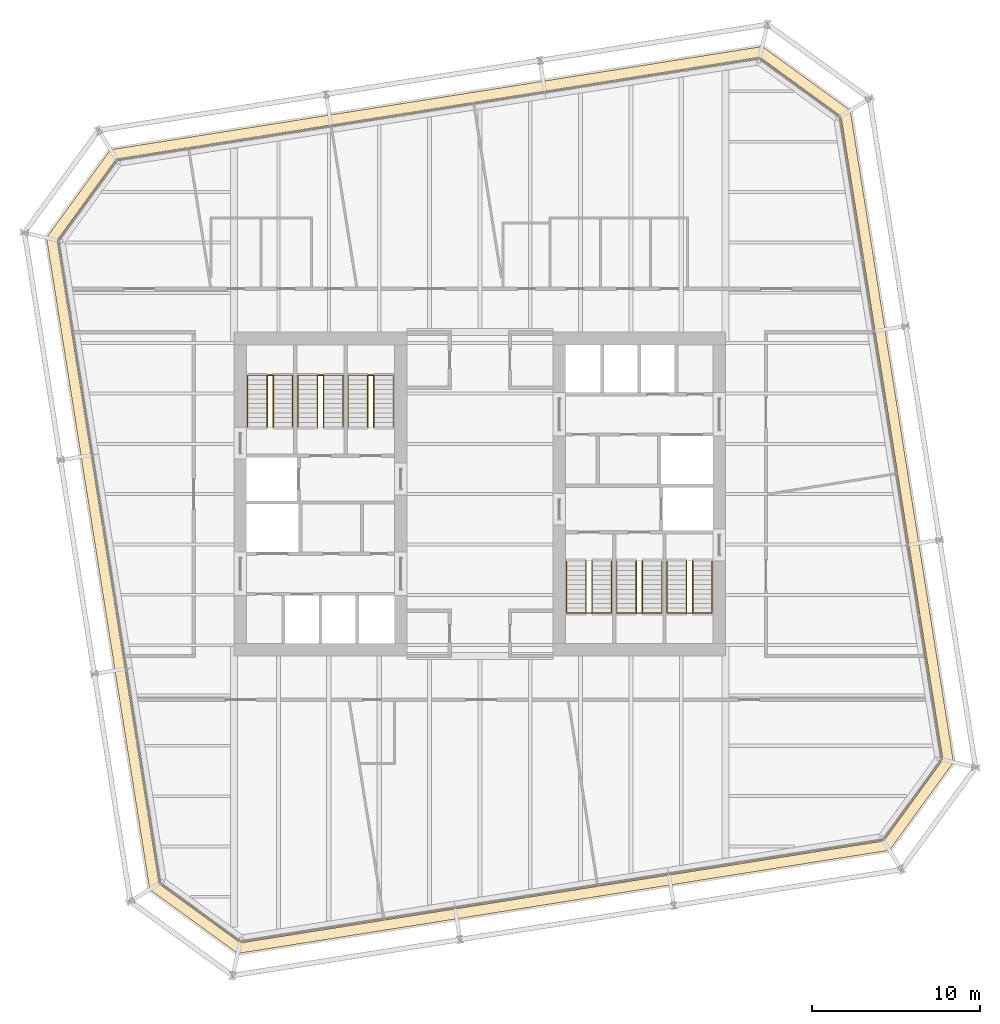
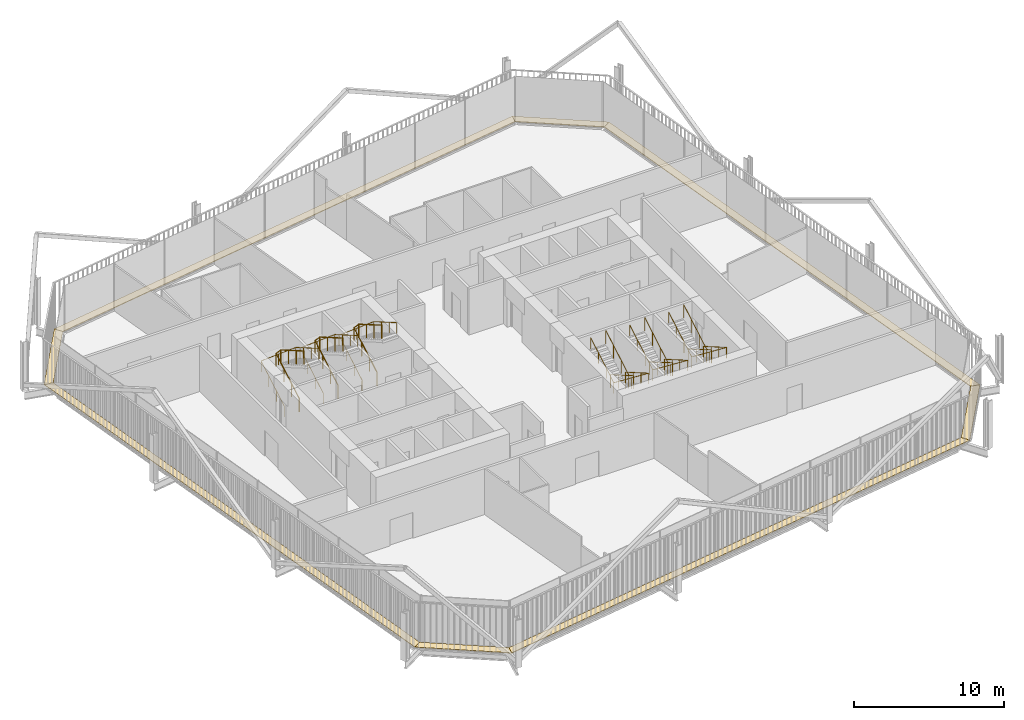
# One storey, part 22 of 22: 12 railings, 8 coverings.
"""IFC4 building model written with IfcOpenShell, lengths in metres."""

from ifc_helpers import new_model, si_unit, direction, frame, origin, origin_2d, place, context, subcontext, project, spatial, polyline, circle, outline, extrude, material, layer, layer_set, type_object, element, save


model = new_model("IFC4")

# Units and contexts
model_context = context("Model", 3, precision=1e-05, world=origin(), true_north=direction((0.0, 1.0)))
body_context = subcontext(model_context, "Body", "Model", "MODEL_VIEW")
ifc_project = project(units=[si_unit("LENGTHUNIT", "METRE"), si_unit("AREAUNIT", "SQUARE_METRE"), si_unit("VOLUMEUNIT", "CUBIC_METRE"), si_unit("PLANEANGLEUNIT", "RADIAN"), si_unit("MASSUNIT", "GRAM", prefix="KILO")], contexts=[model_context])

# Site, building, storey
site_placement = place(None, origin())
site = spatial("IfcSite", under=ifc_project, at=site_placement, CompositionType="ELEMENT")
building_placement = place(site_placement, origin())
building = spatial("IfcBuilding", under=site, at=building_placement, Name="Millrace Tower", CompositionType="ELEMENT")
storey_placement = place(building_placement, frame((0.0, 0.0, 187.800048828125)))
storey = spatial("IfcBuildingStorey", under=building, at=storey_placement, Name="L42", CompositionType="ELEMENT", Elevation=187.800048828125)

# Coverings
ifc_material_1 = material(Name="Steel ASTM A36", Category="steel")
ifc_layer = layer(ifc_material_1, 0.050048828125)
ifc_layer_set = layer_set([ifc_layer], Name="Steel ASTM A36")
covering_type = type_object("IfcCoveringType", Name="CAVITY CATWALK steel grating", PredefinedType="FLOORING", material=ifc_layer_set)
placement = place(storey_placement, frame((0.0, 0.0, 0.099853515625)))
element("IfcCovering", 1, at=placement, inside=storey, type_object=covering_type, Name="Cavity catwalk grating C-F01 L42 1", PredefinedType="FLOORING", context=body_context, shape_type="SweptSolid", body=[
    extrude(outline(polyline([(-19.67578125, -23.562255859375), (-14.425048828125, -27.376953125), (-14.2734375, -26.74560546875), (-19.1220703125, -23.222900390625), (-19.67578125, -23.562255859375)])), origin(), (0.0, 0.0, 1.0), 0.050048828125),
])
element("IfcCovering", 2, at=placement, inside=storey, type_object=covering_type, Name="Cavity catwalk grating C-F02 L42 1", PredefinedType="FLOORING", context=body_context, shape_type="SweptSolid", body=[
    extrude(outline(polyline([(-14.425048828125, -27.376953125), (24.412109375, -21.225830078125), (24.07275390625, -20.672119140625), (-14.2734375, -26.74560546875), (-14.425048828125, -27.376953125)])), origin(), (0.0, 0.0, 1.0), 0.050048828125),
])
element("IfcCovering", 3, at=placement, inside=storey, type_object=covering_type, Name="Cavity catwalk grating C-F03 L42 1", PredefinedType="FLOORING", context=body_context, shape_type="SweptSolid", body=[
    extrude(outline(polyline([(24.412109375, -21.225830078125), (28.22705078125, -15.97509765625), (27.595458984375, -15.823486328125), (24.07275390625, -20.672119140625), (24.412109375, -21.225830078125)])), origin(), (0.0, 0.0, 1.0), 0.050048828125),
])
element("IfcCovering", 4, at=placement, inside=storey, type_object=covering_type, Name="Cavity catwalk grating C-F04 L42 1", PredefinedType="FLOORING", context=body_context, shape_type="SweptSolid", body=[
    extrude(outline(polyline([(28.22705078125, -15.97509765625), (22.075927734375, 22.862060546875), (21.522216796875, 22.522705078125), (27.595458984375, -15.823486328125), (28.22705078125, -15.97509765625)])), origin(), (0.0, 0.0, 1.0), 0.050048828125),
])
element("IfcCovering", 5, at=placement, inside=storey, type_object=covering_type, Name="Cavity catwalk grating C-F05 L42 1", PredefinedType="FLOORING", context=body_context, shape_type="SweptSolid", body=[
    extrude(outline(polyline([(22.075927734375, 22.862060546875), (16.824951171875, 26.677001953125), (16.67333984375, 26.045654296875), (21.522216796875, 22.522705078125), (22.075927734375, 22.862060546875)])), origin(), (0.0, 0.0, 1.0), 0.050048828125),
])
element("IfcCovering", 6, at=placement, inside=storey, type_object=covering_type, Name="Cavity catwalk grating C-F06 L42 1", PredefinedType="FLOORING", context=body_context, shape_type="SweptSolid", body=[
    extrude(outline(polyline([(16.824951171875, 26.677001953125), (-22.01220703125, 20.52587890625), (-21.6728515625, 19.97216796875), (16.67333984375, 26.045654296875), (16.824951171875, 26.677001953125)])), origin(), (0.0, 0.0, 1.0), 0.050048828125),
])
element("IfcCovering", 7, at=placement, inside=storey, type_object=covering_type, Name="Cavity catwalk grating C-F07 L42 1", PredefinedType="FLOORING", context=body_context, shape_type="SweptSolid", body=[
    extrude(outline(polyline([(-22.01220703125, 20.52587890625), (-25.8271484375, 15.275146484375), (-25.195556640625, 15.12353515625), (-21.6728515625, 19.97216796875), (-22.01220703125, 20.52587890625)])), origin(), (0.0, 0.0, 1.0), 0.050048828125),
])
element("IfcCovering", 8, at=placement, inside=storey, type_object=covering_type, Name="Cavity catwalk grating C-F08 L42 1", PredefinedType="FLOORING", context=body_context, shape_type="SweptSolid", body=[
    extrude(outline(polyline([(-25.8271484375, 15.275146484375), (-19.67578125, -23.562255859375), (-19.1220703125, -23.222900390625), (-25.195556640625, 15.12353515625), (-25.8271484375, 15.275146484375)])), origin(), (0.0, 0.0, 1.0), 0.050048828125),
])

# Railings
ifc_material_2 = material(Name="Stainless steel ASTM A240 type 316", Category="steel")
railing_type_1 = type_object("IfcRailingType", Name="Stair guard 1100", PredefinedType="GUARDRAIL", material=ifc_material_2)
for number, where, name in (
    (9, (-12.679931640625, 4.0, 0.162353515625), "Stair guard 1 W L42"),
    (10, (-9.679931640625, 4.0, 0.162353515625), "Stair guard 2 W L42"),
    (11, (-6.679931640625, 4.0, 0.162353515625), "Stair guard 3 W L42"),
):
    element("IfcRailing", number, at=place(storey_placement, frame(where)), inside=storey, type_object=railing_type_1, Name=name, PredefinedType="GUARDRAIL", context=body_context, shape_type="SweptSolid", body=[
        extrude(circle(Radius=0.02392578125, at=origin_2d()), frame((0.0, 0.0, 1.076171875), z_axis=(0.0, 0.864890721111, 0.501960198159), x_axis=(-1.0, 0.0, 0.0)), (0.0, 0.0, 1.0), 3.561279296875),
        extrude(circle(Radius=0.02392578125, at=origin_2d()), frame((0.0, 3.080078125, 2.86376953125), z_axis=(0.911295775139, 0.0, 0.411752365158), x_axis=(0.0, 1.0, 0.0)), (0.0, 0.0, 1.0), 0.394775390625),
        extrude(circle(Radius=0.02392578125, at=origin_2d()), frame((0.35986328125, 3.080078125, 3.0263671875), z_axis=(0.0, -0.864920483161, 0.501908913857), x_axis=(1.0, 0.0, 0.0)), (0.0, 0.0, 1.0), 3.56103515625),
        extrude(circle(Radius=0.02099609375, at=origin_2d()), origin(), (0.0, 0.0, 1.0), 1.052001953125),
        extrude(circle(Radius=0.02099609375, at=origin_2d()), frame((0.0, 1.026611328125, 0.595947265625)), (0.0, 0.0, 1.0), 1.052001953125),
        extrude(circle(Radius=0.02099609375, at=origin_2d()), frame((0.0, 2.053466796875, 1.191650390625)), (0.0, 0.0, 1.0), 1.052001953125),
        extrude(circle(Radius=0.02099609375, at=origin_2d()), frame((0.0, 3.080078125, 1.78759765625)), (0.0, 0.0, 1.0), 1.052001953125),
        extrude(circle(Radius=0.02099609375, at=origin_2d()), frame((0.35986328125, 3.080078125, 1.9501953125)), (0.0, 0.0, 1.0), 1.052001953125),
        extrude(circle(Radius=0.02099609375, at=origin_2d()), frame((0.35986328125, 2.053466796875, 2.5458984375)), (0.0, 0.0, 1.0), 1.052001953125),
        extrude(circle(Radius=0.02099609375, at=origin_2d()), frame((0.35986328125, 1.026611328125, 3.141845703125)), (0.0, 0.0, 1.0), 1.052001953125),
        extrude(circle(Radius=0.02099609375, at=origin_2d()), frame((0.35986328125, 0.0, 3.737548828125)), (0.0, 0.0, 1.0), 1.052001953125),
    ])
for number, where, name in (
    (12, (12.679931640625, -4.0, 0.162353515625), "Stair guard 1 E L42"),
    (13, (9.679931640625, -4.0, 0.162353515625), "Stair guard 2 E L42"),
    (14, (6.679931640625, -4.0, 0.162353515625), "Stair guard 3 E L42"),
):
    element("IfcRailing", number, at=place(storey_placement, frame(where)), inside=storey, type_object=railing_type_1, Name=name, PredefinedType="GUARDRAIL", context=body_context, shape_type="SweptSolid", body=[
        extrude(circle(Radius=0.02392578125, at=origin_2d()), frame((0.0, 0.0, 1.076171875), z_axis=(0.0, -0.864890721111, 0.501960198159), x_axis=(1.0, 0.0, 0.0)), (0.0, 0.0, 1.0), 3.561279296875),
        extrude(circle(Radius=0.02392578125, at=origin_2d()), frame((0.0, -3.080078125, 2.86376953125), z_axis=(-0.911295775139, 0.0, 0.411752365158), x_axis=(0.0, -1.0, 0.0)), (0.0, 0.0, 1.0), 0.394775390625),
        extrude(circle(Radius=0.02392578125, at=origin_2d()), frame((-0.35986328125, -3.080078125, 3.0263671875), z_axis=(0.0, 0.864920483161, 0.501908913857), x_axis=(-1.0, 0.0, 0.0)), (0.0, 0.0, 1.0), 3.56103515625),
        extrude(circle(Radius=0.02099609375, at=origin_2d()), origin(), (0.0, 0.0, 1.0), 1.052001953125),
        extrude(circle(Radius=0.02099609375, at=origin_2d()), frame((0.0, -1.026611328125, 0.595947265625)), (0.0, 0.0, 1.0), 1.052001953125),
        extrude(circle(Radius=0.02099609375, at=origin_2d()), frame((0.0, -2.053466796875, 1.191650390625)), (0.0, 0.0, 1.0), 1.052001953125),
        extrude(circle(Radius=0.02099609375, at=origin_2d()), frame((0.0, -3.080078125, 1.78759765625)), (0.0, 0.0, 1.0), 1.052001953125),
        extrude(circle(Radius=0.02099609375, at=origin_2d()), frame((-0.35986328125, -3.080078125, 1.9501953125)), (0.0, 0.0, 1.0), 1.052001953125),
        extrude(circle(Radius=0.02099609375, at=origin_2d()), frame((-0.35986328125, -2.053466796875, 2.5458984375)), (0.0, 0.0, 1.0), 1.052001953125),
        extrude(circle(Radius=0.02099609375, at=origin_2d()), frame((-0.35986328125, -1.026611328125, 3.141845703125)), (0.0, 0.0, 1.0), 1.052001953125),
        extrude(circle(Radius=0.02099609375, at=origin_2d()), frame((-0.35986328125, 0.0, 3.737548828125)), (0.0, 0.0, 1.0), 1.052001953125),
    ])
ifc_material_3 = material(Name="Stainless steel ASTM A240 type 316", Category="steel")
railing_type_2 = type_object("IfcRailingType", Name="Stair handrail 900", PredefinedType="HANDRAIL", material=ifc_material_3)
railing_1_placement = place(storey_placement, frame((-13.840087890625, 4.0, 0.162353515625)))
element("IfcRailing", 15, at=railing_1_placement, inside=storey, type_object=railing_type_2, Name="Stair handrail 1 W L42", PredefinedType="HANDRAIL", context=body_context, shape_type="SweptSolid", body=[
    extrude(circle(Radius=0.02392578125, at=origin_2d()), frame((0.0, 0.0, 0.8759765625), z_axis=(0.0, 0.864890721111, 0.501960198159), x_axis=(-1.0, 0.0, 0.0)), (0.0, 0.0, 1.0), 3.561279296875),
    extrude(circle(Radius=0.02392578125, at=origin_2d()), frame((0.0, 3.080078125, 2.66357421875), z_axis=(0.998164834547, 0.0, 0.060555454528), x_axis=(0.0, 1.0, 0.0)), (0.0, 0.0, 1.0), 2.68505859375),
    extrude(circle(Radius=0.02392578125, at=origin_2d()), frame((2.68017578125, 3.080078125, 2.826171875), z_axis=(0.0, -0.864920483161, 0.501908913857), x_axis=(1.0, 0.0, 0.0)), (0.0, 0.0, 1.0), 3.56103515625),
    extrude(circle(Radius=0.02099609375, at=origin_2d()), origin(), (0.0, 0.0, 1.0), 0.851806640625),
    extrude(circle(Radius=0.02099609375, at=origin_2d()), frame((0.0, 1.026611328125, 0.595947265625)), (0.0, 0.0, 1.0), 0.851806640625),
    extrude(circle(Radius=0.02099609375, at=origin_2d()), frame((0.0, 2.053466796875, 1.191650390625)), (0.0, 0.0, 1.0), 0.851806640625),
    extrude(circle(Radius=0.02099609375, at=origin_2d()), frame((0.0, 3.080078125, 1.78759765625)), (0.0, 0.0, 1.0), 0.851806640625),
    extrude(circle(Radius=0.02099609375, at=origin_2d()), frame((1.340087890625, 3.080078125, 1.868896484375)), (0.0, 0.0, 1.0), 0.851806640625),
    extrude(circle(Radius=0.02099609375, at=origin_2d()), frame((2.68017578125, 3.080078125, 1.9501953125)), (0.0, 0.0, 1.0), 0.851806640625),
    extrude(circle(Radius=0.02099609375, at=origin_2d()), frame((2.68017578125, 2.053466796875, 2.5458984375)), (0.0, 0.0, 1.0), 0.851806640625),
    extrude(circle(Radius=0.02099609375, at=origin_2d()), frame((2.68017578125, 1.026611328125, 3.141845703125)), (0.0, 0.0, 1.0), 0.851806640625),
    extrude(circle(Radius=0.02099609375, at=origin_2d()), frame((2.68017578125, 0.0, 3.737548828125)), (0.0, 0.0, 1.0), 0.851806640625),
])
railing_2_placement = place(storey_placement, frame((-10.840087890625, 4.0, 0.162353515625)))
element("IfcRailing", 16, at=railing_2_placement, inside=storey, type_object=railing_type_2, Name="Stair handrail 2 W L42", PredefinedType="HANDRAIL", context=body_context, shape_type="SweptSolid", body=[
    extrude(circle(Radius=0.02392578125, at=origin_2d()), frame((0.0, 0.0, 0.8759765625), z_axis=(0.0, 0.864890721111, 0.501960198159), x_axis=(-1.0, 0.0, 0.0)), (0.0, 0.0, 1.0), 3.561279296875),
    extrude(circle(Radius=0.02392578125, at=origin_2d()), frame((0.0, 3.080078125, 2.66357421875), z_axis=(0.998164834547, 0.0, 0.060555454528), x_axis=(0.0, 1.0, 0.0)), (0.0, 0.0, 1.0), 2.68505859375),
    extrude(circle(Radius=0.02392578125, at=origin_2d()), frame((2.68017578125, 3.080078125, 2.826171875), z_axis=(0.0, -0.864920483161, 0.501908913857), x_axis=(1.0, 0.0, 0.0)), (0.0, 0.0, 1.0), 3.56103515625),
    extrude(circle(Radius=0.02099609375, at=origin_2d()), origin(), (0.0, 0.0, 1.0), 0.851806640625),
    extrude(circle(Radius=0.02099609375, at=origin_2d()), frame((0.0, 1.026611328125, 0.595947265625)), (0.0, 0.0, 1.0), 0.851806640625),
    extrude(circle(Radius=0.02099609375, at=origin_2d()), frame((0.0, 2.053466796875, 1.191650390625)), (0.0, 0.0, 1.0), 0.851806640625),
    extrude(circle(Radius=0.02099609375, at=origin_2d()), frame((0.0, 3.080078125, 1.78759765625)), (0.0, 0.0, 1.0), 0.851806640625),
    extrude(circle(Radius=0.02099609375, at=origin_2d()), frame((1.340087890625, 3.080078125, 1.868896484375)), (0.0, 0.0, 1.0), 0.851806640625),
    extrude(circle(Radius=0.02099609375, at=origin_2d()), frame((2.68017578125, 3.080078125, 1.9501953125)), (0.0, 0.0, 1.0), 0.851806640625),
    extrude(circle(Radius=0.02099609375, at=origin_2d()), frame((2.68017578125, 2.053466796875, 2.5458984375)), (0.0, 0.0, 1.0), 0.851806640625),
    extrude(circle(Radius=0.02099609375, at=origin_2d()), frame((2.68017578125, 1.026611328125, 3.141845703125)), (0.0, 0.0, 1.0), 0.851806640625),
    extrude(circle(Radius=0.02099609375, at=origin_2d()), frame((2.68017578125, 0.0, 3.737548828125)), (0.0, 0.0, 1.0), 0.851806640625),
])
railing_3_placement = place(storey_placement, frame((-7.840087890625, 4.0, 0.162353515625)))
element("IfcRailing", 17, at=railing_3_placement, inside=storey, type_object=railing_type_2, Name="Stair handrail 3 W L42", PredefinedType="HANDRAIL", context=body_context, shape_type="SweptSolid", body=[
    extrude(circle(Radius=0.02392578125, at=origin_2d()), frame((0.0, 0.0, 0.8759765625), z_axis=(0.0, 0.864890721111, 0.501960198159), x_axis=(-1.0, 0.0, 0.0)), (0.0, 0.0, 1.0), 3.561279296875),
    extrude(circle(Radius=0.02392578125, at=origin_2d()), frame((0.0, 3.080078125, 2.66357421875), z_axis=(0.998164834547, 0.0, 0.060555454528), x_axis=(0.0, 1.0, 0.0)), (0.0, 0.0, 1.0), 2.68505859375),
    extrude(circle(Radius=0.02392578125, at=origin_2d()), frame((2.68017578125, 3.080078125, 2.826171875), z_axis=(0.0, -0.864920483161, 0.501908913857), x_axis=(1.0, 0.0, 0.0)), (0.0, 0.0, 1.0), 3.56103515625),
    extrude(circle(Radius=0.02099609375, at=origin_2d()), origin(), (0.0, 0.0, 1.0), 0.851806640625),
    extrude(circle(Radius=0.02099609375, at=origin_2d()), frame((0.0, 1.026611328125, 0.595947265625)), (0.0, 0.0, 1.0), 0.851806640625),
    extrude(circle(Radius=0.02099609375, at=origin_2d()), frame((0.0, 2.053466796875, 1.191650390625)), (0.0, 0.0, 1.0), 0.851806640625),
    extrude(circle(Radius=0.02099609375, at=origin_2d()), frame((0.0, 3.080078125, 1.78759765625)), (0.0, 0.0, 1.0), 0.851806640625),
    extrude(circle(Radius=0.02099609375, at=origin_2d()), frame((1.340087890625, 3.080078125, 1.868896484375)), (0.0, 0.0, 1.0), 0.851806640625),
    extrude(circle(Radius=0.02099609375, at=origin_2d()), frame((2.68017578125, 3.080078125, 1.9501953125)), (0.0, 0.0, 1.0), 0.851806640625),
    extrude(circle(Radius=0.02099609375, at=origin_2d()), frame((2.68017578125, 2.053466796875, 2.5458984375)), (0.0, 0.0, 1.0), 0.851806640625),
    extrude(circle(Radius=0.02099609375, at=origin_2d()), frame((2.68017578125, 1.026611328125, 3.141845703125)), (0.0, 0.0, 1.0), 0.851806640625),
    extrude(circle(Radius=0.02099609375, at=origin_2d()), frame((2.68017578125, 0.0, 3.737548828125)), (0.0, 0.0, 1.0), 0.851806640625),
])
railing_4_placement = place(storey_placement, frame((13.840087890625, -4.0, 0.162353515625)))
element("IfcRailing", 18, at=railing_4_placement, inside=storey, type_object=railing_type_2, Name="Stair handrail 1 E L42", PredefinedType="HANDRAIL", context=body_context, shape_type="SweptSolid", body=[
    extrude(circle(Radius=0.02392578125, at=origin_2d()), frame((0.0, 0.0, 0.8759765625), z_axis=(0.0, -0.864890721111, 0.501960198159), x_axis=(1.0, 0.0, 0.0)), (0.0, 0.0, 1.0), 3.561279296875),
    extrude(circle(Radius=0.02392578125, at=origin_2d()), frame((0.0, -3.080078125, 2.66357421875), z_axis=(-0.998164834547, 0.0, 0.060555454528), x_axis=(0.0, -1.0, 0.0)), (0.0, 0.0, 1.0), 2.68505859375),
    extrude(circle(Radius=0.02392578125, at=origin_2d()), frame((-2.68017578125, -3.080078125, 2.826171875), z_axis=(0.0, 0.864920483161, 0.501908913857), x_axis=(-1.0, 0.0, 0.0)), (0.0, 0.0, 1.0), 3.56103515625),
    extrude(circle(Radius=0.02099609375, at=origin_2d()), origin(), (0.0, 0.0, 1.0), 0.851806640625),
    extrude(circle(Radius=0.02099609375, at=origin_2d()), frame((0.0, -1.026611328125, 0.595947265625)), (0.0, 0.0, 1.0), 0.851806640625),
    extrude(circle(Radius=0.02099609375, at=origin_2d()), frame((0.0, -2.053466796875, 1.191650390625)), (0.0, 0.0, 1.0), 0.851806640625),
    extrude(circle(Radius=0.02099609375, at=origin_2d()), frame((0.0, -3.080078125, 1.78759765625)), (0.0, 0.0, 1.0), 0.851806640625),
    extrude(circle(Radius=0.02099609375, at=origin_2d()), frame((-1.340087890625, -3.080078125, 1.868896484375)), (0.0, 0.0, 1.0), 0.851806640625),
    extrude(circle(Radius=0.02099609375, at=origin_2d()), frame((-2.68017578125, -3.080078125, 1.9501953125)), (0.0, 0.0, 1.0), 0.851806640625),
    extrude(circle(Radius=0.02099609375, at=origin_2d()), frame((-2.68017578125, -2.053466796875, 2.5458984375)), (0.0, 0.0, 1.0), 0.851806640625),
    extrude(circle(Radius=0.02099609375, at=origin_2d()), frame((-2.68017578125, -1.026611328125, 3.141845703125)), (0.0, 0.0, 1.0), 0.851806640625),
    extrude(circle(Radius=0.02099609375, at=origin_2d()), frame((-2.68017578125, 0.0, 3.737548828125)), (0.0, 0.0, 1.0), 0.851806640625),
])
railing_5_placement = place(storey_placement, frame((10.840087890625, -4.0, 0.162353515625)))
element("IfcRailing", 19, at=railing_5_placement, inside=storey, type_object=railing_type_2, Name="Stair handrail 2 E L42", PredefinedType="HANDRAIL", context=body_context, shape_type="SweptSolid", body=[
    extrude(circle(Radius=0.02392578125, at=origin_2d()), frame((0.0, 0.0, 0.8759765625), z_axis=(0.0, -0.864890721111, 0.501960198159), x_axis=(1.0, 0.0, 0.0)), (0.0, 0.0, 1.0), 3.561279296875),
    extrude(circle(Radius=0.02392578125, at=origin_2d()), frame((0.0, -3.080078125, 2.66357421875), z_axis=(-0.998164834547, 0.0, 0.060555454528), x_axis=(0.0, -1.0, 0.0)), (0.0, 0.0, 1.0), 2.68505859375),
    extrude(circle(Radius=0.02392578125, at=origin_2d()), frame((-2.68017578125, -3.080078125, 2.826171875), z_axis=(0.0, 0.864920483161, 0.501908913857), x_axis=(-1.0, 0.0, 0.0)), (0.0, 0.0, 1.0), 3.56103515625),
    extrude(circle(Radius=0.02099609375, at=origin_2d()), origin(), (0.0, 0.0, 1.0), 0.851806640625),
    extrude(circle(Radius=0.02099609375, at=origin_2d()), frame((0.0, -1.026611328125, 0.595947265625)), (0.0, 0.0, 1.0), 0.851806640625),
    extrude(circle(Radius=0.02099609375, at=origin_2d()), frame((0.0, -2.053466796875, 1.191650390625)), (0.0, 0.0, 1.0), 0.851806640625),
    extrude(circle(Radius=0.02099609375, at=origin_2d()), frame((0.0, -3.080078125, 1.78759765625)), (0.0, 0.0, 1.0), 0.851806640625),
    extrude(circle(Radius=0.02099609375, at=origin_2d()), frame((-1.340087890625, -3.080078125, 1.868896484375)), (0.0, 0.0, 1.0), 0.851806640625),
    extrude(circle(Radius=0.02099609375, at=origin_2d()), frame((-2.68017578125, -3.080078125, 1.9501953125)), (0.0, 0.0, 1.0), 0.851806640625),
    extrude(circle(Radius=0.02099609375, at=origin_2d()), frame((-2.68017578125, -2.053466796875, 2.5458984375)), (0.0, 0.0, 1.0), 0.851806640625),
    extrude(circle(Radius=0.02099609375, at=origin_2d()), frame((-2.68017578125, -1.026611328125, 3.141845703125)), (0.0, 0.0, 1.0), 0.851806640625),
    extrude(circle(Radius=0.02099609375, at=origin_2d()), frame((-2.68017578125, 0.0, 3.737548828125)), (0.0, 0.0, 1.0), 0.851806640625),
])
railing_6_placement = place(storey_placement, frame((7.840087890625, -4.0, 0.162353515625)))
element("IfcRailing", 20, at=railing_6_placement, inside=storey, type_object=railing_type_2, Name="Stair handrail 3 E L42", PredefinedType="HANDRAIL", context=body_context, shape_type="SweptSolid", body=[
    extrude(circle(Radius=0.02392578125, at=origin_2d()), frame((0.0, 0.0, 0.8759765625), z_axis=(0.0, -0.864890721111, 0.501960198159), x_axis=(1.0, 0.0, 0.0)), (0.0, 0.0, 1.0), 3.561279296875),
    extrude(circle(Radius=0.02392578125, at=origin_2d()), frame((0.0, -3.080078125, 2.66357421875), z_axis=(-0.998164834547, 0.0, 0.060555454528), x_axis=(0.0, -1.0, 0.0)), (0.0, 0.0, 1.0), 2.68505859375),
    extrude(circle(Radius=0.02392578125, at=origin_2d()), frame((-2.68017578125, -3.080078125, 2.826171875), z_axis=(0.0, 0.864920483161, 0.501908913857), x_axis=(-1.0, 0.0, 0.0)), (0.0, 0.0, 1.0), 3.56103515625),
    extrude(circle(Radius=0.02099609375, at=origin_2d()), origin(), (0.0, 0.0, 1.0), 0.851806640625),
    extrude(circle(Radius=0.02099609375, at=origin_2d()), frame((0.0, -1.026611328125, 0.595947265625)), (0.0, 0.0, 1.0), 0.851806640625),
    extrude(circle(Radius=0.02099609375, at=origin_2d()), frame((0.0, -2.053466796875, 1.191650390625)), (0.0, 0.0, 1.0), 0.851806640625),
    extrude(circle(Radius=0.02099609375, at=origin_2d()), frame((0.0, -3.080078125, 1.78759765625)), (0.0, 0.0, 1.0), 0.851806640625),
    extrude(circle(Radius=0.02099609375, at=origin_2d()), frame((-1.340087890625, -3.080078125, 1.868896484375)), (0.0, 0.0, 1.0), 0.851806640625),
    extrude(circle(Radius=0.02099609375, at=origin_2d()), frame((-2.68017578125, -3.080078125, 1.9501953125)), (0.0, 0.0, 1.0), 0.851806640625),
    extrude(circle(Radius=0.02099609375, at=origin_2d()), frame((-2.68017578125, -2.053466796875, 2.5458984375)), (0.0, 0.0, 1.0), 0.851806640625),
    extrude(circle(Radius=0.02099609375, at=origin_2d()), frame((-2.68017578125, -1.026611328125, 3.141845703125)), (0.0, 0.0, 1.0), 0.851806640625),
    extrude(circle(Radius=0.02099609375, at=origin_2d()), frame((-2.68017578125, 0.0, 3.737548828125)), (0.0, 0.0, 1.0), 0.851806640625),
])

save(model, "model.ifc")
